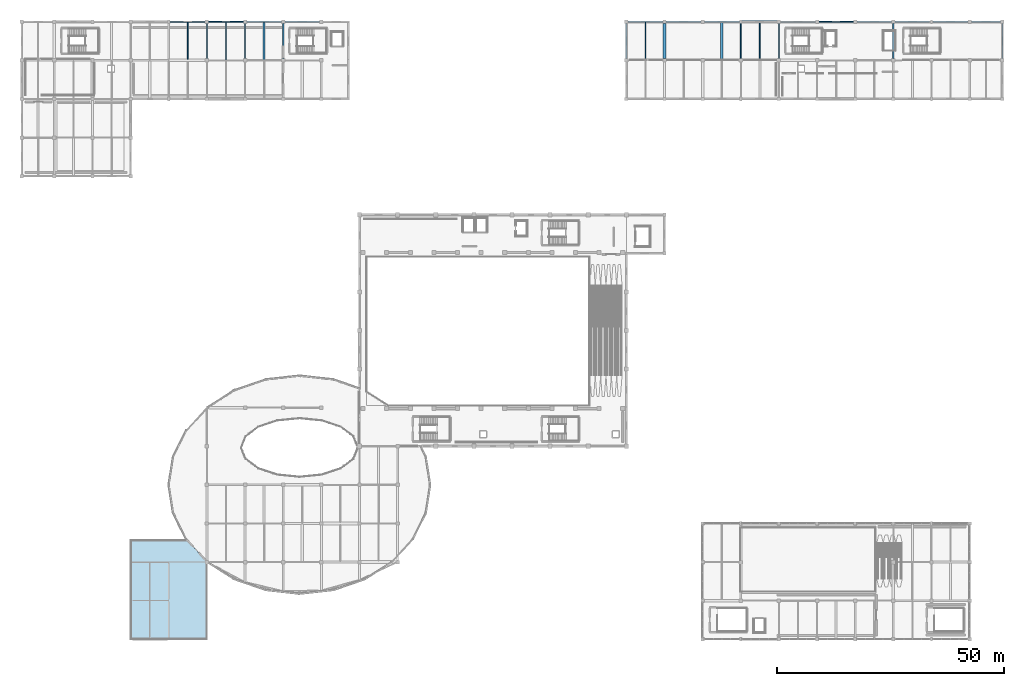
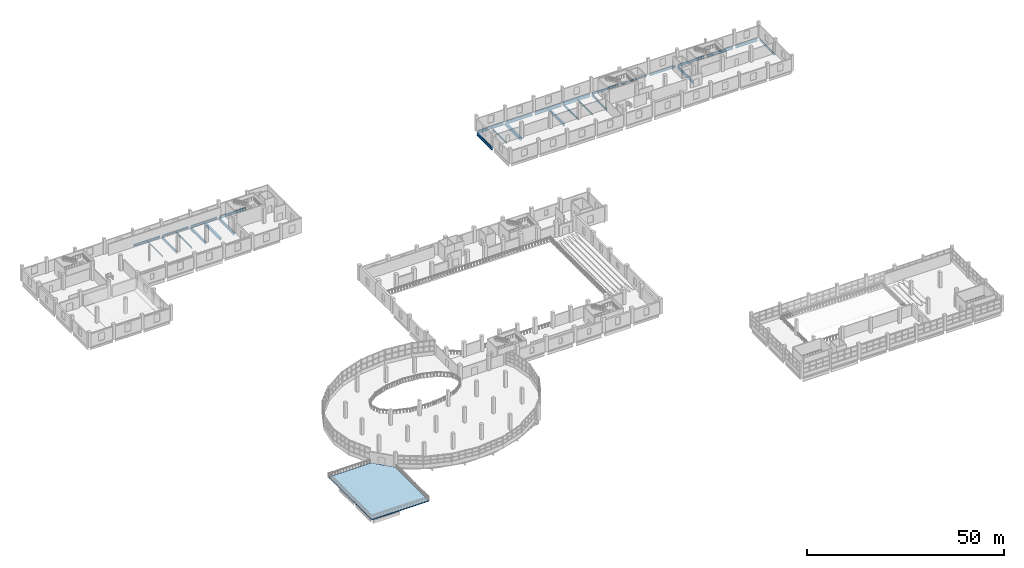
# One storey, part 49 of 77: 29 beams, 1 slab.
"""IFC4 building model written with IfcOpenShell, lengths in metres."""

import ifcopenshell
import ifcopenshell.guid

model = None  # the IFC model being written
_history = None  # IfcOwnerHistory: only IFC2X3 demands one
_inside = {}  # id of a spatial element -> (the spatial element, [elements in it])
_under = {}  # id of a project, library or spatial element -> (it, [spatial elements below it])
_declared = {}  # id of a project -> (the project, [libraries it declares])
_typed = {}  # id of a type object -> (the type object, [elements of that type])
_made_of = {}  # id of a material, layer set ... -> (it, [elements and type objects made of it])


def new_model(schema):
    """Start an empty IFC model of exactly this schema.

    Asked for "IFC4X3", IfcOpenShell would pick the latest addendum, in which some entities
    have other attributes; the version numbers below select the first issue.
    IFC2X3 requires an IfcOwnerHistory on every rooted entity: one is made here for all.
    """
    global model, _history
    if schema == "IFC4X3":
        model = ifcopenshell.file(schema_version=(4, 3, 0, 0))
    else:
        model = ifcopenshell.file(schema=schema)
    _inside.clear()
    _under.clear()
    _declared.clear()
    _typed.clear()
    _made_of.clear()
    _history = None
    if model.schema == "IFC2X3":
        org = make("IfcOrganization", Name="unknown")
        user = make(
            "IfcPersonAndOrganization",
            ThePerson=make("IfcPerson", FamilyName="unknown"),
            TheOrganization=org,
        )
        app = make(
            "IfcApplication",
            ApplicationDeveloper=org,
            Version="unknown",
            ApplicationFullName="unknown",
            ApplicationIdentifier="unknown",
        )
        _history = make(
            "IfcOwnerHistory",
            OwningUser=user,
            OwningApplication=app,
            ChangeAction="ADDED",
            CreationDate=0,
        )
    return model


def make(cls, **values):
    """One entity of the class cls with the attributes given. An attribute that is None is left unset."""
    return model.create_entity(
        cls, **{name: value for name, value in values.items() if value is not None}
    )


def rooted(cls, **values):
    """An entity with a GlobalId (a new one), such as an element, a storey or a relation."""
    return make(cls, GlobalId=ifcopenshell.guid.new(), OwnerHistory=_history, **values)


def si_unit(unit_type, name, prefix=None):
    """IfcSIUnit, for example si_unit("LENGTHUNIT", "METRE", prefix="MILLI")."""
    return make("IfcSIUnit", UnitType=unit_type, Prefix=prefix, Name=name)


def assignment(units):
    """IfcUnitAssignment: the units of a project."""
    return None if units is None else make("IfcUnitAssignment", Units=units)


def point(xyz):
    """IfcCartesianPoint."""
    return None if xyz is None else make("IfcCartesianPoint", Coordinates=xyz)


def direction(xyz):
    """IfcDirection."""
    return None if xyz is None else make("IfcDirection", DirectionRatios=xyz)


def frame(location, z_axis=None, x_axis=None):
    """IfcAxis2Placement3D, a coordinate frame: its origin and axes. An axis left out is left unset."""
    return make(
        "IfcAxis2Placement3D",
        Location=point(location),
        Axis=direction(z_axis),
        RefDirection=direction(x_axis),
    )


def frame_2d(location, x_axis=None):
    """IfcAxis2Placement2D, a coordinate frame in the plane: its origin and x axis."""
    return make(
        "IfcAxis2Placement2D", Location=point(location), RefDirection=direction(x_axis)
    )


def origin():
    """The frame at (0, 0, 0) with its axes left unset."""
    return frame((0.0, 0.0, 0.0))


def origin_2d():
    """The frame at (0, 0) in the plane with its x axis left unset."""
    return frame_2d((0.0, 0.0))


def place(relative_to, where):
    """IfcLocalPlacement: puts the frame where relative to a parent placement (None: the world)."""
    return make(
        "IfcLocalPlacement", PlacementRelTo=relative_to, RelativePlacement=where
    )


def context(
    kind, dimensions, precision=None, world=None, true_north=None, identifier=None
):
    """IfcGeometricRepresentationContext, for example the 3D "Model" context."""
    return make(
        "IfcGeometricRepresentationContext",
        ContextIdentifier=identifier,
        ContextType=kind,
        CoordinateSpaceDimension=dimensions,
        Precision=precision,
        WorldCoordinateSystem=world,
        TrueNorth=true_north,
    )


def subcontext(parent, identifier, kind, view, scale=None):
    """IfcGeometricRepresentationSubContext, for example "Body" below "Model"."""
    return make(
        "IfcGeometricRepresentationSubContext",
        ContextIdentifier=identifier,
        ContextType=kind,
        ParentContext=parent,
        TargetScale=scale,
        TargetView=view,
    )


def project(units=None, contexts=None):
    """IfcProject with its units and contexts."""
    return rooted(
        "IfcProject",
        Name="project",
        RepresentationContexts=contexts,
        UnitsInContext=assignment(units),
    )


def spatial(cls, under=None, at=None, **own):
    """A site, building, storey or space (cls), placed at a placement, below another one or the project."""
    s = rooted(cls, ObjectPlacement=at, **own)
    if under is not None:
        _under.setdefault(under.id(), (under, []))[1].append(s)
    return s


def polyline(points):
    """IfcPolyline through the points."""
    return make("IfcPolyline", Points=[point(p) for p in points])


def profile(cls, at=None, kind="AREA", **sizes):
    """A parametric profile (cls). Its sizes go by their IFC names, for example OverallWidth=200.0."""
    return make(cls, ProfileType=kind, Position=at, **sizes)


def rectangle(**sizes):
    """IfcRectangleProfileDef."""
    return profile("IfcRectangleProfileDef", **sizes)


def i_section(**sizes):
    """IfcIShapeProfileDef."""
    return profile("IfcIShapeProfileDef", **sizes)


def outline(outer, holes=None, kind="AREA"):
    """IfcArbitraryClosedProfileDef: a profile drawn as a closed curve; with holes, ...WithVoids."""
    if holes is None:
        return make("IfcArbitraryClosedProfileDef", ProfileType=kind, OuterCurve=outer)
    return make(
        "IfcArbitraryProfileDefWithVoids",
        ProfileType=kind,
        OuterCurve=outer,
        InnerCurves=holes,
    )


def extrude(swept, where, along, depth):
    """IfcExtrudedAreaSolid: the profile swept, set in the frame where, extruded along a direction by depth."""
    return make(
        "IfcExtrudedAreaSolid",
        SweptArea=swept,
        Position=where,
        ExtrudedDirection=direction(along),
        Depth=depth,
    )


def shape(context_of_items, identifier, shape_type, items):
    """IfcShapeRepresentation: the items that make up one representation, for example the "Body"."""
    return make(
        "IfcShapeRepresentation",
        ContextOfItems=context_of_items,
        RepresentationIdentifier=identifier,
        RepresentationType=shape_type,
        Items=items,
    )


def material(Name=None, Category=None):
    """IfcMaterial."""
    return make("IfcMaterial", Name=Name, Category=Category)


def layer(
    of_material, thickness, ventilated=None, Name=None, Category=None, Priority=None
):
    """IfcMaterialLayer: one layer of a wall or slab, of a material (None: an air gap)."""
    return make(
        "IfcMaterialLayer",
        Material=of_material,
        LayerThickness=thickness,
        IsVentilated=ventilated,
        Name=Name,
        Category=Category,
        Priority=Priority,
    )


def layer_set(layers, Name=None):
    """IfcMaterialLayerSet."""
    return make("IfcMaterialLayerSet", MaterialLayers=layers, LayerSetName=Name)


def material_profile(
    of_material, cross_section, Name=None, Category=None, Priority=None
):
    """IfcMaterialProfile: a cross section and its material."""
    return make(
        "IfcMaterialProfile",
        Name=Name,
        Material=of_material,
        Profile=cross_section,
        Priority=Priority,
        Category=Category,
    )


def profile_set(profiles, Name=None, composite=None):
    """IfcMaterialProfileSet."""
    return make(
        "IfcMaterialProfileSet",
        Name=Name,
        MaterialProfiles=profiles,
        CompositeProfile=composite,
    )


def made_of(thing, what):
    """Note that an element or type object is made of a material, layer set ...; save() writes the relation."""
    if what is not None:
        _made_of.setdefault(what.id(), (what, []))[1].append(thing)
    return thing


def type_object(cls, material=None, **own):
    """A type object (cls), such as IfcWallType, which elements share."""
    return made_of(rooted(cls, **own), material)


def element(
    cls,
    number,
    at=None,
    inside=None,
    cuts=None,
    type_object=None,
    material=None,
    context=None,
    identifier="Body",
    shape_type=None,
    held_by="IfcProductDefinitionShape",
    body=None,
    shapes=None,
    **own,
):
    """One element of the class cls, such as IfcWall. Its Tag is "e" and its number.

    at: its placement. inside: the storey or other place that contains it. cuts: it is an
    opening in that element (IfcRelVoidsElement). A single representation is given by context,
    identifier, shape_type and body (its items); several are given by shapes. held_by: the class
    of the entity that holds the representations. save() writes the other relations.
    """
    e = rooted(cls, Tag="e%d" % number, ObjectPlacement=at, **own)
    if body is not None:
        shapes = [shape(context, identifier, shape_type, body)]
    if shapes is not None:
        e.Representation = make(held_by, Representations=shapes)
    if inside is not None:
        _inside.setdefault(inside.id(), (inside, []))[1].append(e)
    if cuts is not None:
        rooted(
            "IfcRelVoidsElement", RelatingBuildingElement=cuts, RelatedOpeningElement=e
        )
    if type_object is not None:
        _typed.setdefault(type_object.id(), (type_object, []))[1].append(e)
    return made_of(e, material)


def aggregate(whole, parts):
    """IfcRelAggregates: a whole, such as a stair, and the parts it consists of."""
    return rooted("IfcRelAggregates", RelatingObject=whole, RelatedObjects=parts)


def save(model, path):
    """Write the relations noted so far, then the file.

    IfcRelAggregates (storeys below a building ...), IfcRelContainedInSpatialStructure (elements
    in a storey), IfcRelDefinesByType, IfcRelAssociatesMaterial and IfcRelDeclares: one each for
    every whole, place, type object, material and project.
    """
    for whole, parts in _under.values():
        aggregate(whole, parts)
    for where, things in _inside.values():
        rooted(
            "IfcRelContainedInSpatialStructure",
            RelatedElements=things,
            RelatingStructure=where,
        )
    for kind, things in _typed.values():
        rooted("IfcRelDefinesByType", RelatedObjects=things, RelatingType=kind)
    for what, things in _made_of.values():
        rooted("IfcRelAssociatesMaterial", RelatedObjects=things, RelatingMaterial=what)
    for by, libraries in _declared.values():
        rooted("IfcRelDeclares", RelatingContext=by, RelatedDefinitions=libraries)
    model.write(path)


model = new_model("IFC4")

# Units and contexts
model_context = context("Model", 3, precision=1e-05, world=origin(), true_north=direction((0.0, 1.0)))
body_context = subcontext(model_context, "Body", "Model", "MODEL_VIEW")
ifc_project = project(units=[si_unit("LENGTHUNIT", "METRE"), si_unit("AREAUNIT", "SQUARE_METRE"), si_unit("VOLUMEUNIT", "CUBIC_METRE"), si_unit("PLANEANGLEUNIT", "RADIAN"), si_unit("MASSUNIT", "GRAM", prefix="KILO")], contexts=[model_context])

# Site, building, storey
site_placement = place(None, origin())
site = spatial("IfcSite", under=ifc_project, at=site_placement, CompositionType="ELEMENT")
building_placement = place(site_placement, origin())
building = spatial("IfcBuilding", under=site, at=building_placement, Name="Solvento Point Concert Hall", CompositionType="ELEMENT")
storey_placement = place(building_placement, frame((0.0, 0.0, 10.199951171875)))
storey = spatial("IfcBuildingStorey", under=building, at=storey_placement, Name="L02", CompositionType="ELEMENT", Elevation=10.199951171875)

# Beams
ifc_material_1 = material(Name="Concrete C35/45", Category="concrete")
ifc_material_profile_1 = material_profile(ifc_material_1, rectangle(XDim=0.47998046875, YDim=0.780029296875, at=origin_2d()), Name="RC-BM-480X780")
ifc_profile_set_1 = profile_set([ifc_material_profile_1], Name="Concrete C35/45")
beam_type_1 = type_object("IfcBeamType", Name="Beam_RC_480x780", PredefinedType="BEAM", material=ifc_profile_set_1)
beam_1_placement = place(storey_placement, frame((53.39990234375, 127.592041015625, -0.6640625), z_axis=(0.0, 1.0, 0.0), x_axis=(-1.0, 0.0, 0.0)))
element("IfcBeam", 1, at=beam_1_placement, inside=storey, type_object=beam_type_1, Name="Secondary floor joist B-74 L02", PredefinedType="BEAM", context=body_context, shape_type="SweptSolid", body=[
    extrude(rectangle(XDim=0.47998046875, YDim=0.780029296875, at=origin_2d()), origin(), (0.0, 0.0, 1.0), 8.294921875),
])
beam_2_placement = place(storey_placement, frame((154.199951171875, 127.638916015625, -0.6640625), z_axis=(0.0, 1.0, 0.0), x_axis=(-1.0, 0.0, 0.0)))
element("IfcBeam", 2, at=beam_2_placement, inside=storey, type_object=beam_type_1, Name="Secondary floor joist B-74 L02", PredefinedType="BEAM", context=body_context, shape_type="SweptSolid", body=[
    extrude(rectangle(XDim=0.47998046875, YDim=0.780029296875, at=origin_2d()), origin(), (0.0, 0.0, 1.0), 8.195556640625),
])
ifc_material_2 = material(Name="Structural Steel ASTM A992 Grade 50", Category="steel")
ifc_material_profile_2 = material_profile(ifc_material_2, i_section(OverallWidth=0.20947265625, OverallDepth=0.532958984375, WebThickness=0.01025390625, FlangeThickness=0.015625, at=origin_2d()), Name="W21X62")
ifc_profile_set_2 = profile_set([ifc_material_profile_2], Name="Structural Steel ASTM A992 Grade 50")
beam_type_2 = type_object("IfcBeamType", Name="Beam_W21X62", PredefinedType="BEAM", material=ifc_profile_set_2)
beam_3_placement = place(storey_placement, frame((45.0, 127.59912109375, -0.54052734375), z_axis=(0.0, 1.0, 0.0), x_axis=(-1.0, 0.0, 0.0)))
element("IfcBeam", 3, at=beam_3_placement, inside=storey, type_object=beam_type_2, Name="Secondary floor joist B-25 L02", PredefinedType="BEAM", context=body_context, shape_type="SweptSolid", body=[
    extrude(i_section(OverallWidth=0.20947265625, OverallDepth=0.532958984375, WebThickness=0.01025390625, FlangeThickness=0.015625, at=origin_2d()), origin(), (0.0, 0.0, 1.0), 8.308837890625),
])
ifc_material_3 = material(Name="Structural Steel ASTM A992 Grade 50", Category="steel")
ifc_material_profile_3 = material_profile(ifc_material_3, i_section(OverallWidth=0.214111328125, OverallDepth=0.549072265625, WebThickness=0.0146484375, FlangeThickness=0.023681640625, at=origin_2d()), Name="W21X93")
ifc_profile_set_3 = profile_set([ifc_material_profile_3], Name="Structural Steel ASTM A992 Grade 50")
beam_type_3 = type_object("IfcBeamType", Name="Beam_W21X93", PredefinedType="BEAM", material=ifc_profile_set_3)
beam_4_placement = place(storey_placement, frame((41.1689453125, 136.0, -0.54833984375), z_axis=(1.0, 0.0, 0.0), x_axis=(0.0, 1.0, 0.0)))
element("IfcBeam", 4, at=beam_4_placement, inside=storey, type_object=beam_type_3, Name="Primary girder B-48 L02", PredefinedType="BEAM", context=body_context, shape_type="SweptSolid", body=[
    extrude(i_section(OverallWidth=0.214111328125, OverallDepth=0.549072265625, WebThickness=0.0146484375, FlangeThickness=0.023681640625, at=origin_2d()), origin(), (0.0, 0.0, 1.0), 7.662109375),
])
beam_5_placement = place(storey_placement, frame((175.583984375, 136.0, -0.54833984375), z_axis=(1.0, 0.0, 0.0), x_axis=(0.0, 1.0, 0.0)))
element("IfcBeam", 5, at=beam_5_placement, inside=storey, type_object=beam_type_3, Name="Primary girder B-48 L02", PredefinedType="BEAM", context=body_context, shape_type="SweptSolid", body=[
    extrude(i_section(OverallWidth=0.214111328125, OverallDepth=0.549072265625, WebThickness=0.0146484375, FlangeThickness=0.023681640625, at=origin_2d()), origin(), (0.0, 0.0, 1.0), 7.632080078125),
])
beam_6_placement = place(storey_placement, frame((158.39990234375, 127.868896484375, -0.54833984375), z_axis=(0.0, 1.0, 0.0), x_axis=(-1.0, 0.0, 0.0)))
element("IfcBeam", 6, at=beam_6_placement, inside=storey, type_object=beam_type_3, Name="Primary girder B-48 L02", PredefinedType="BEAM", context=body_context, shape_type="SweptSolid", body=[
    extrude(i_section(OverallWidth=0.214111328125, OverallDepth=0.549072265625, WebThickness=0.0146484375, FlangeThickness=0.023681640625, at=origin_2d()), origin(), (0.0, 0.0, 1.0), 7.737060546875),
])
ifc_material_4 = material(Name="Structural Steel ASTM A992 Grade 50", Category="steel")
ifc_material_profile_4 = material_profile(ifc_material_4, i_section(OverallWidth=0.228515625, OverallDepth=0.60791015625, WebThickness=0.01123046875, FlangeThickness=0.017333984375, at=origin_2d()), Name="W24X76")
ifc_profile_set_4 = profile_set([ifc_material_profile_4], Name="Structural Steel ASTM A992 Grade 50")
beam_type_4 = type_object("IfcBeamType", Name="Beam_W24X76", PredefinedType="BEAM", material=ifc_profile_set_4)
beam_7_placement = place(storey_placement, frame((32.64404296875, 136.0, -0.577880859375), z_axis=(1.0, 0.0, 0.0), x_axis=(0.0, 1.0, 0.0)))
element("IfcBeam", 7, at=beam_7_placement, inside=storey, type_object=beam_type_4, Name="Primary girder B-42 L02", PredefinedType="BEAM", context=body_context, shape_type="SweptSolid", body=[
    extrude(i_section(OverallWidth=0.228515625, OverallDepth=0.60791015625, WebThickness=0.01123046875, FlangeThickness=0.017333984375, at=origin_2d()), origin(), (0.0, 0.0, 1.0), 7.786865234375),
])
beam_8_placement = place(storey_placement, frame((167.18408203125, 136.0, -0.577880859375), z_axis=(1.0, 0.0, 0.0), x_axis=(0.0, 1.0, 0.0)))
element("IfcBeam", 8, at=beam_8_placement, inside=storey, type_object=beam_type_4, Name="Primary girder B-42 L02", PredefinedType="BEAM", context=body_context, shape_type="SweptSolid", body=[
    extrude(i_section(OverallWidth=0.228515625, OverallDepth=0.60791015625, WebThickness=0.01123046875, FlangeThickness=0.017333984375, at=origin_2d()), origin(), (0.0, 0.0, 1.0), 7.6318359375),
])
beam_9_placement = place(storey_placement, frame((216.0, 127.884033203125, -0.577880859375), z_axis=(0.0, 1.0, 0.0), x_axis=(-1.0, 0.0, 0.0)))
element("IfcBeam", 9, at=beam_9_placement, inside=storey, type_object=beam_type_4, Name="Primary girder B-42 L02", PredefinedType="BEAM", context=body_context, shape_type="SweptSolid", body=[
    extrude(i_section(OverallWidth=0.228515625, OverallDepth=0.60791015625, WebThickness=0.01123046875, FlangeThickness=0.017333984375, at=origin_2d()), origin(), (0.0, 0.0, 1.0), 7.73193359375),
])
ifc_material_5 = material(Name="Concrete C35/45", Category="concrete")
ifc_material_profile_5 = material_profile(ifc_material_5, rectangle(XDim=0.580078125, YDim=0.919921875, at=origin_2d()), Name="RC-BM-580X920")
ifc_profile_set_5 = profile_set([ifc_material_profile_5], Name="Concrete C35/45")
beam_type_5 = type_object("IfcBeamType", Name="Girder_RC_580x920", PredefinedType="USERDEFINED", material=ifc_profile_set_5)
beam_10_placement = place(storey_placement, frame((158.64404296875, 136.0, -0.73388671875), z_axis=(1.0, 0.0, 0.0), x_axis=(0.0, 1.0, 0.0)))
element("IfcBeam", 10, at=beam_10_placement, inside=storey, type_object=beam_type_5, Name="Primary girder B-95 L02", ObjectType="GIRDER", PredefinedType="USERDEFINED", context=body_context, shape_type="SweptSolid", body=[
    extrude(rectangle(XDim=0.580078125, YDim=0.919921875, at=origin_2d()), origin(), (0.0, 0.0, 1.0), 7.77197265625),
])
beam_11_placement = place(storey_placement, frame((141.60009765625, 127.868896484375, -0.73388671875), z_axis=(0.0, 1.0, 0.0), x_axis=(-1.0, 0.0, 0.0)))
element("IfcBeam", 11, at=beam_11_placement, inside=storey, type_object=beam_type_5, Name="Primary girder B-95 L02", ObjectType="GIRDER", PredefinedType="USERDEFINED", context=body_context, shape_type="SweptSolid", body=[
    extrude(rectangle(XDim=0.580078125, YDim=0.919921875, at=origin_2d()), origin(), (0.0, 0.0, 1.0), 7.76220703125),
])
ifc_material_6 = material(Name="Structural Steel ASTM A992 Grade 50", Category="steel")
ifc_material_profile_6 = material_profile(ifc_material_6, i_section(OverallWidth=0.256103515625, OverallDepth=0.693115234375, WebThickness=0.014404296875, FlangeThickness=0.023681640625, at=origin_2d()), Name="W27X114")
ifc_profile_set_6 = profile_set([ifc_material_profile_6], Name="Structural Steel ASTM A992 Grade 50")
beam_type_6 = type_object("IfcBeamType", Name="Girder_W27X114", PredefinedType="USERDEFINED", material=ifc_profile_set_6)
beam_12_placement = place(storey_placement, frame((49.569091796875, 136.0, -0.620361328125), z_axis=(1.0, 0.0, 0.0), x_axis=(0.0, 1.0, 0.0)))
element("IfcBeam", 12, at=beam_12_placement, inside=storey, type_object=beam_type_6, Name="Primary girder B-23 L02", ObjectType="GIRDER", PredefinedType="USERDEFINED", context=body_context, shape_type="SweptSolid", body=[
    extrude(i_section(OverallWidth=0.256103515625, OverallDepth=0.693115234375, WebThickness=0.014404296875, FlangeThickness=0.023681640625, at=origin_2d()), origin(), (0.0, 0.0, 1.0), 7.661865234375),
])
beam_13_placement = place(storey_placement, frame((183.98388671875, 136.0, -0.620361328125), z_axis=(1.0, 0.0, 0.0), x_axis=(0.0, 1.0, 0.0)))
element("IfcBeam", 13, at=beam_13_placement, inside=storey, type_object=beam_type_6, Name="Primary girder B-23 L02", ObjectType="GIRDER", PredefinedType="USERDEFINED", context=body_context, shape_type="SweptSolid", body=[
    extrude(i_section(OverallWidth=0.256103515625, OverallDepth=0.693115234375, WebThickness=0.014404296875, FlangeThickness=0.023681640625, at=origin_2d()), origin(), (0.0, 0.0, 1.0), 7.632080078125),
])
beam_14_placement = place(storey_placement, frame((166.800048828125, 127.884033203125, -0.620361328125), z_axis=(0.0, 1.0, 0.0), x_axis=(-1.0, 0.0, 0.0)))
element("IfcBeam", 14, at=beam_14_placement, inside=storey, type_object=beam_type_6, Name="Primary girder B-23 L02", ObjectType="GIRDER", PredefinedType="USERDEFINED", context=body_context, shape_type="SweptSolid", body=[
    extrude(i_section(OverallWidth=0.256103515625, OverallDepth=0.693115234375, WebThickness=0.014404296875, FlangeThickness=0.023681640625, at=origin_2d()), origin(), (0.0, 0.0, 1.0), 7.73193359375),
])
ifc_material_7 = material(Name="Structural Steel ASTM A992 Grade 50", Category="steel")
ifc_material_profile_7 = material_profile(ifc_material_7, i_section(OverallWidth=0.26806640625, OverallDepth=0.77001953125, WebThickness=0.015625, FlangeThickness=0.025390625, at=origin_2d()), Name="W30X132")
ifc_profile_set_7 = profile_set([ifc_material_profile_7], Name="Structural Steel ASTM A992 Grade 50")
beam_type_7 = type_object("IfcBeamType", Name="Girder_W30X132", PredefinedType="USERDEFINED", material=ifc_profile_set_7)
beam_15_placement = place(storey_placement, frame((57.968994140625, 136.0, -0.658935546875), z_axis=(1.0, 0.0, 0.0), x_axis=(0.0, 1.0, 0.0)))
element("IfcBeam", 15, at=beam_15_placement, inside=storey, type_object=beam_type_7, Name="Primary girder B-68 L02", ObjectType="GIRDER", PredefinedType="USERDEFINED", context=body_context, shape_type="SweptSolid", body=[
    extrude(i_section(OverallWidth=0.26806640625, OverallDepth=0.77001953125, WebThickness=0.015625, FlangeThickness=0.025390625, at=origin_2d()), origin(), (0.0, 0.0, 1.0), 7.662109375),
])
beam_16_placement = place(storey_placement, frame((192.384033203125, 136.0, -0.658935546875), z_axis=(1.0, 0.0, 0.0), x_axis=(0.0, 1.0, 0.0)))
element("IfcBeam", 16, at=beam_16_placement, inside=storey, type_object=beam_type_7, Name="Primary girder B-68 L02", ObjectType="GIRDER", PredefinedType="USERDEFINED", context=body_context, shape_type="SweptSolid", body=[
    extrude(i_section(OverallWidth=0.26806640625, OverallDepth=0.77001953125, WebThickness=0.015625, FlangeThickness=0.025390625, at=origin_2d()), origin(), (0.0, 0.0, 1.0), 7.632080078125),
])
beam_17_placement = place(storey_placement, frame((40.800048828125, 127.868896484375, -0.658935546875), z_axis=(0.0, 1.0, 0.0), x_axis=(-1.0, 0.0, 0.0)))
element("IfcBeam", 17, at=beam_17_placement, inside=storey, type_object=beam_type_7, Name="Primary girder B-68 L02", ObjectType="GIRDER", PredefinedType="USERDEFINED", context=body_context, shape_type="SweptSolid", body=[
    extrude(i_section(OverallWidth=0.26806640625, OverallDepth=0.77001953125, WebThickness=0.015625, FlangeThickness=0.025390625, at=origin_2d()), origin(), (0.0, 0.0, 1.0), 7.76220703125),
])
ifc_material_8 = material(Name="Structural Steel ASTM A992 Grade 50", Category="steel")
ifc_material_profile_8 = material_profile(ifc_material_8, i_section(OverallWidth=0.2919921875, OverallDepth=0.85888671875, WebThickness=0.01708984375, FlangeThickness=0.031005859375, at=origin_2d()), Name="W33X169")
ifc_profile_set_8 = profile_set([ifc_material_profile_8], Name="Structural Steel ASTM A992 Grade 50")
beam_type_8 = type_object("IfcBeamType", Name="Girder_W33X169", PredefinedType="USERDEFINED", material=ifc_profile_set_8)
beam_18_placement = place(storey_placement, frame((133.569091796875, 136.0, -0.703369140625), z_axis=(1.0, 0.0, 0.0), x_axis=(0.0, 1.0, 0.0)))
element("IfcBeam", 18, at=beam_18_placement, inside=storey, type_object=beam_type_8, Name="Primary girder B-33 L02", ObjectType="GIRDER", PredefinedType="USERDEFINED", context=body_context, shape_type="SweptSolid", body=[
    extrude(i_section(OverallWidth=0.2919921875, OverallDepth=0.85888671875, WebThickness=0.01708984375, FlangeThickness=0.031005859375, at=origin_2d()), origin(), (0.0, 0.0, 1.0), 7.661865234375),
])
beam_19_placement = place(storey_placement, frame((200.783935546875, 136.0, -0.703369140625), z_axis=(1.0, 0.0, 0.0), x_axis=(0.0, 1.0, 0.0)))
element("IfcBeam", 19, at=beam_19_placement, inside=storey, type_object=beam_type_8, Name="Primary girder B-33 L02", ObjectType="GIRDER", PredefinedType="USERDEFINED", context=body_context, shape_type="SweptSolid", body=[
    extrude(i_section(OverallWidth=0.2919921875, OverallDepth=0.85888671875, WebThickness=0.01708984375, FlangeThickness=0.031005859375, at=origin_2d()), origin(), (0.0, 0.0, 1.0), 7.632080078125),
])
beam_20_placement = place(storey_placement, frame((49.199951171875, 127.868896484375, -0.703369140625), z_axis=(0.0, 1.0, 0.0), x_axis=(-1.0, 0.0, 0.0)))
element("IfcBeam", 20, at=beam_20_placement, inside=storey, type_object=beam_type_8, Name="Primary girder B-33 L02", ObjectType="GIRDER", PredefinedType="USERDEFINED", context=body_context, shape_type="SweptSolid", body=[
    extrude(i_section(OverallWidth=0.2919921875, OverallDepth=0.85888671875, WebThickness=0.01708984375, FlangeThickness=0.031005859375, at=origin_2d()), origin(), (0.0, 0.0, 1.0), 7.76220703125),
])
ifc_material_9 = material(Name="Structural Steel ASTM A992 Grade 50", Category="steel")
ifc_material_profile_9 = material_profile(ifc_material_9, i_section(OverallWidth=0.3076171875, OverallDepth=0.927001953125, WebThickness=0.019287109375, FlangeThickness=0.031982421875, at=origin_2d()), Name="W36X194")
ifc_profile_set_9 = profile_set([ifc_material_profile_9], Name="Structural Steel ASTM A992 Grade 50")
beam_type_9 = type_object("IfcBeamType", Name="Girder_W36X194", PredefinedType="USERDEFINED", material=ifc_profile_set_9)
beam_21_placement = place(storey_placement, frame((141.968994140625, 136.0, -0.737548828125), z_axis=(1.0, 0.0, 0.0), x_axis=(0.0, 1.0, 0.0)))
element("IfcBeam", 21, at=beam_21_placement, inside=storey, type_object=beam_type_9, Name="Primary girder B-61 L02", ObjectType="GIRDER", PredefinedType="USERDEFINED", context=body_context, shape_type="SweptSolid", body=[
    extrude(i_section(OverallWidth=0.3076171875, OverallDepth=0.927001953125, WebThickness=0.019287109375, FlangeThickness=0.031982421875, at=origin_2d()), origin(), (0.0, 0.0, 1.0), 7.662109375),
])
beam_22_placement = place(storey_placement, frame((209.18408203125, 136.0, -0.737548828125), z_axis=(1.0, 0.0, 0.0), x_axis=(0.0, 1.0, 0.0)))
element("IfcBeam", 22, at=beam_22_placement, inside=storey, type_object=beam_type_9, Name="Primary girder B-61 L02", ObjectType="GIRDER", PredefinedType="USERDEFINED", context=body_context, shape_type="SweptSolid", body=[
    extrude(i_section(OverallWidth=0.3076171875, OverallDepth=0.927001953125, WebThickness=0.019287109375, FlangeThickness=0.031982421875, at=origin_2d()), origin(), (0.0, 0.0, 1.0), 6.431884765625),
])
beam_23_placement = place(storey_placement, frame((57.60009765625, 127.868896484375, -0.737548828125), z_axis=(0.0, 1.0, 0.0), x_axis=(-1.0, 0.0, 0.0)))
element("IfcBeam", 23, at=beam_23_placement, inside=storey, type_object=beam_type_9, Name="Primary girder B-61 L02", ObjectType="GIRDER", PredefinedType="USERDEFINED", context=body_context, shape_type="SweptSolid", body=[
    extrude(i_section(OverallWidth=0.3076171875, OverallDepth=0.927001953125, WebThickness=0.019287109375, FlangeThickness=0.031982421875, at=origin_2d()), origin(), (0.0, 0.0, 1.0), 7.76220703125),
])
beam_24_placement = place(storey_placement, frame((192.0, 127.884033203125, -0.737548828125), z_axis=(0.0, 1.0, 0.0), x_axis=(-1.0, 0.0, 0.0)))
element("IfcBeam", 24, at=beam_24_placement, inside=storey, type_object=beam_type_9, Name="Primary girder B-61 L02", ObjectType="GIRDER", PredefinedType="USERDEFINED", context=body_context, shape_type="SweptSolid", body=[
    extrude(i_section(OverallWidth=0.3076171875, OverallDepth=0.927001953125, WebThickness=0.019287109375, FlangeThickness=0.031982421875, at=origin_2d()), origin(), (0.0, 0.0, 1.0), 7.73193359375),
])
ifc_material_10 = material(Name="Structural Steel ASTM A992 Grade 50", Category="steel")
ifc_material_profile_10 = material_profile(ifc_material_10, i_section(OverallWidth=0.361083984375, OverallDepth=1.02587890625, WebThickness=0.01904296875, FlangeThickness=0.0361328125, at=origin_2d()), Name="W40X249")
ifc_profile_set_10 = profile_set([ifc_material_profile_10], Name="Structural Steel ASTM A992 Grade 50")
beam_type_10 = type_object("IfcBeamType", Name="Girder_W40X249", PredefinedType="USERDEFINED", material=ifc_profile_set_10)
beam_25_placement = place(storey_placement, frame((150.368896484375, 136.0, -0.786865234375), z_axis=(1.0, 0.0, 0.0), x_axis=(0.0, 1.0, 0.0)))
element("IfcBeam", 25, at=beam_25_placement, inside=storey, type_object=beam_type_10, Name="Primary girder B-29 L02", ObjectType="GIRDER", PredefinedType="USERDEFINED", context=body_context, shape_type="SweptSolid", body=[
    extrude(i_section(OverallWidth=0.361083984375, OverallDepth=1.02587890625, WebThickness=0.01904296875, FlangeThickness=0.0361328125, at=origin_2d()), origin(), (0.0, 0.0, 1.0), 7.787109375),
])
beam_26_placement = place(storey_placement, frame((133.199951171875, 127.868896484375, -0.786865234375), z_axis=(0.0, 1.0, 0.0), x_axis=(-1.0, 0.0, 0.0)))
element("IfcBeam", 26, at=beam_26_placement, inside=storey, type_object=beam_type_10, Name="Primary girder B-29 L02", ObjectType="GIRDER", PredefinedType="USERDEFINED", context=body_context, shape_type="SweptSolid", body=[
    extrude(i_section(OverallWidth=0.361083984375, OverallDepth=1.02587890625, WebThickness=0.01904296875, FlangeThickness=0.0361328125, at=origin_2d()), origin(), (0.0, 0.0, 1.0), 7.76220703125),
])
ifc_material_11 = material(Name="Structural Steel ASTM A992 Grade 50", Category="steel")
ifc_material_profile_11 = material_profile(ifc_material_11, i_section(OverallWidth=0.177490234375, OverallDepth=0.403076171875, WebThickness=0.007568359375, FlangeThickness=0.010986328125, at=origin_2d()), Name="W16X36")
ifc_profile_set_11 = profile_set([ifc_material_profile_11], Name="Structural Steel ASTM A992 Grade 50")
beam_type_11 = type_object("IfcBeamType", Name="Joist_W16X36", PredefinedType="JOIST", material=ifc_profile_set_11)
beam_27_placement = place(storey_placement, frame((36.60009765625, 127.77490234375, -0.475341796875), z_axis=(0.0, 1.0, 0.0), x_axis=(-1.0, 0.0, 0.0)))
element("IfcBeam", 27, at=beam_27_placement, inside=storey, type_object=beam_type_11, Name="Secondary floor joist B-30 L02", PredefinedType="JOIST", context=body_context, shape_type="SweptSolid", body=[
    extrude(i_section(OverallWidth=0.177490234375, OverallDepth=0.403076171875, WebThickness=0.007568359375, FlangeThickness=0.010986328125, at=origin_2d()), origin(), (0.0, 0.0, 1.0), 8.125732421875),
])
beam_28_placement = place(storey_placement, frame((137.39990234375, 127.618896484375, -0.475341796875), z_axis=(0.0, 1.0, 0.0), x_axis=(-1.0, 0.0, 0.0)))
element("IfcBeam", 28, at=beam_28_placement, inside=storey, type_object=beam_type_11, Name="Secondary floor joist B-30 L02", PredefinedType="JOIST", context=body_context, shape_type="SweptSolid", body=[
    extrude(i_section(OverallWidth=0.177490234375, OverallDepth=0.403076171875, WebThickness=0.007568359375, FlangeThickness=0.010986328125, at=origin_2d()), origin(), (0.0, 0.0, 1.0), 8.25),
])
ifc_material_12 = material(Name="Structural Steel ASTM A992 Grade 50", Category="steel")
ifc_material_profile_12 = material_profile(ifc_material_12, i_section(OverallWidth=0.1904296875, OverallDepth=0.45703125, WebThickness=0.009033203125, FlangeThickness=0.014404296875, at=origin_2d()), Name="W18X50")
ifc_profile_set_12 = profile_set([ifc_material_profile_12], Name="Structural Steel ASTM A992 Grade 50")
beam_type_12 = type_object("IfcBeamType", Name="Joist_W18X50", PredefinedType="JOIST", material=ifc_profile_set_12)
beam_29_placement = place(storey_placement, frame((162.60009765625, 127.66552734375, -0.50244140625), z_axis=(0.0, 1.0, 0.0), x_axis=(-1.0, 0.0, 0.0)))
element("IfcBeam", 29, at=beam_29_placement, inside=storey, type_object=beam_type_12, Name="Secondary floor joist B-66 L02", PredefinedType="JOIST", context=body_context, shape_type="SweptSolid", body=[
    extrude(i_section(OverallWidth=0.1904296875, OverallDepth=0.45703125, WebThickness=0.009033203125, FlangeThickness=0.014404296875, at=origin_2d()), origin(), (0.0, 0.0, 1.0), 8.0595703125),
])

# Slab
ifc_material_13 = material(Name="Concrete C40/50", Category="concrete")
ifc_layer = layer(ifc_material_13, 0.264892578125)
ifc_layer_set = layer_set([ifc_layer], Name="Concrete C40/50")
slab_type = type_object("IfcSlabType", Name="VerandaSlab_265", PredefinedType="FLOOR", material=ifc_layer_set)
slab_placement = place(storey_placement, frame((0.0, 0.0, -0.264892578125)))
element("IfcSlab", 30, at=slab_placement, inside=storey, type_object=slab_type, Name="Outdoor public terrace deck L02", PredefinedType="FLOOR", context=body_context, shape_type="SweptSolid", body=[
    extrude(outline(polyline([(24.0, 0.0), (24.0, 21.800048828125), (36.442626953125, 21.800048828125), (40.800048828125, 17.067626953125), (40.800048828125, 0.0), (24.0, 0.0)])), origin(), (0.0, 0.0, 1.0), 0.264892578125),
])

save(model, "model.ifc")
